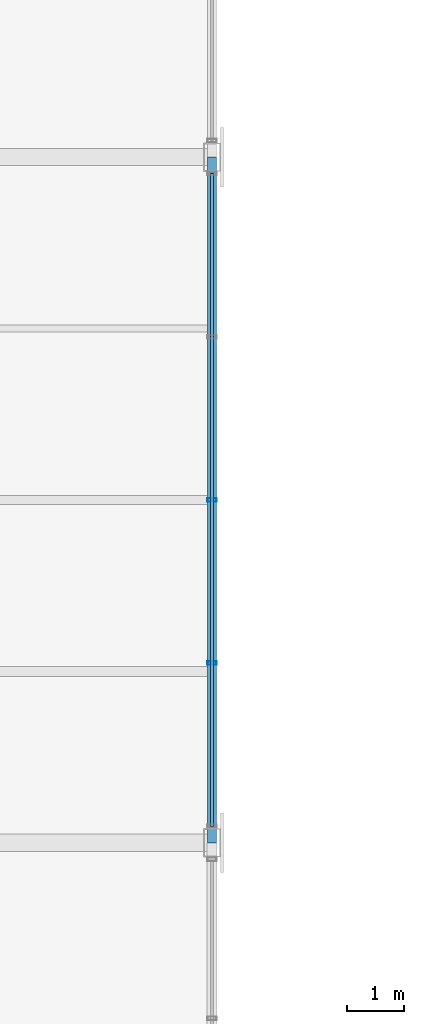
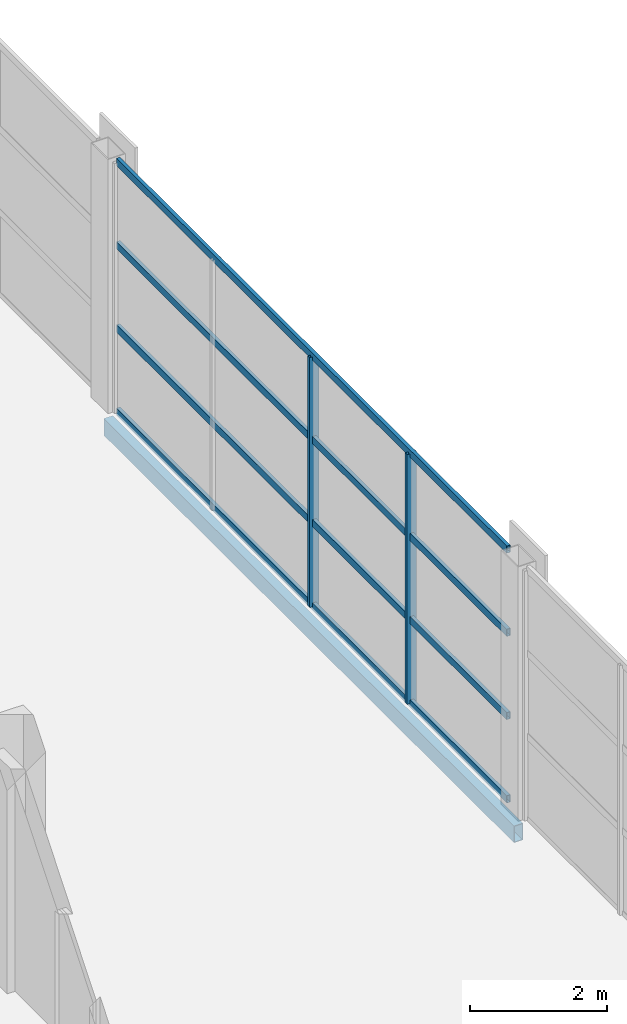
# One storey, part 30 of 86: 6 members, 1 beam, 1 element without a shape of its own.
"""IFC4 building model written with IfcOpenShell, lengths in metres."""

from ifc_helpers import new_model, si_unit, direction, frame, origin, origin_2d, place, context, subcontext, project, spatial, hollow_rectangle, extrude, material, material_profile, profile_set, type_object, element, aggregate, save


model = new_model("IFC4")

# Units and contexts
model_context = context("Model", 3, precision=1e-05, world=origin(), true_north=direction((0.0, 1.0)))
body_context = subcontext(model_context, "Body", "Model", "MODEL_VIEW")
ifc_project = project(units=[si_unit("LENGTHUNIT", "METRE"), si_unit("AREAUNIT", "SQUARE_METRE"), si_unit("VOLUMEUNIT", "CUBIC_METRE"), si_unit("PLANEANGLEUNIT", "RADIAN"), si_unit("MASSUNIT", "GRAM", prefix="KILO")], contexts=[model_context])

# Site, building, storey
site_placement = place(None, origin())
site = spatial("IfcSite", under=ifc_project, at=site_placement, CompositionType="ELEMENT")
building_placement = place(site_placement, origin())
building = spatial("IfcBuilding", under=site, at=building_placement, Name="Solvikara Media Centre", CompositionType="ELEMENT")
storey_placement = place(building_placement, frame((0.0, 0.0, 15.0)))
storey = spatial("IfcBuildingStorey", under=building, at=storey_placement, Name="L03", CompositionType="ELEMENT", Elevation=15.0)

# Beam
ifc_material_1 = material(Name="Steel S355JR", Category="steel")
ifc_material_profile_1 = material_profile(ifc_material_1, hollow_rectangle(XDim=0.14990234375, YDim=0.300048828125, WallThickness=0.010009765625, at=origin_2d()), Name="RHS 300x150x10")
ifc_profile_set_1 = profile_set([ifc_material_profile_1], Name="Steel S355JR")
beam_type = type_object("IfcBeamType", Name="BM-35", PredefinedType="BEAM", material=ifc_profile_set_1)
beam_placement = place(storey_placement, frame((34.0, 56.5, -0.412109375), z_axis=(0.0, 1.0, 0.0), x_axis=(-1.0, 0.0, 0.0)))
element("IfcBeam", 1, at=beam_placement, inside=storey, type_object=beam_type, Name="B-L03-Y1259", PredefinedType="BEAM", context=body_context, shape_type="SweptSolid", body=[
    extrude(hollow_rectangle(XDim=0.14990234375, YDim=0.300048828125, WallThickness=0.010009765625, at=origin_2d()), origin(), (0.0, 0.0, 1.0), 12.0),
])

# Curtain wall, members
ifc_material_2 = material(Name="Anodised aluminium EN AW-6063", Category="aluminium")
curtain_wall_type = type_object("IfcCurtainWallType", Name="CW-07", PredefinedType="NOTDEFINED", material=ifc_material_2)
curtain_wall_placement = place(storey_placement, origin())
curtain_wall = element("IfcCurtainWall", 2, at=curtain_wall_placement, inside=storey, type_object=curtain_wall_type, Name="CW-L03-V4E-S2", PredefinedType="NOTDEFINED")
ifc_material_profile_2 = material_profile(ifc_material_2, hollow_rectangle(XDim=0.06005859375, YDim=0.159912109375, WallThickness=0.00341796875, at=origin_2d()), Name="ALU-M 60x160x3.5")
ifc_profile_set_2 = profile_set([ifc_material_profile_2], Name="Anodised aluminium EN AW-6063")
member_type_1 = type_object("IfcMemberType", Name="MF-04", PredefinedType="MULLION", material=ifc_profile_set_2)
member_1_placement = place(storey_placement, frame((34.0, 59.64501953125, 0.02001953125), z_axis=(0.0, 0.0, 1.0), x_axis=(0.0, 1.0, 0.0)))
member_1 = element("IfcMember", 3, at=member_1_placement, type_object=member_type_1, Name="CW-L03-V4E-S2-M01", PredefinedType="MULLION", context=body_context, shape_type="SweptSolid", body=[
    extrude(hollow_rectangle(XDim=0.06005859375, YDim=0.159912109375, WallThickness=0.00341796875, at=origin_2d()), origin(), (0.0, 0.0, 1.0), 4.4599609375),
])
member_2_placement = place(storey_placement, frame((34.0, 62.5, 0.02001953125), z_axis=(0.0, 0.0, 1.0), x_axis=(0.0, 1.0, 0.0)))
member_2 = element("IfcMember", 4, at=member_2_placement, type_object=member_type_1, Name="CW-L03-V4E-S2-M02", PredefinedType="MULLION", context=body_context, shape_type="SweptSolid", body=[
    extrude(hollow_rectangle(XDim=0.06005859375, YDim=0.159912109375, WallThickness=0.00341796875, at=origin_2d()), origin(), (0.0, 0.0, 1.0), 4.4599609375),
])
ifc_material_profile_3 = material_profile(ifc_material_2, hollow_rectangle(XDim=0.06005859375, YDim=0.1298828125, WallThickness=0.0029296875, at=origin_2d()), Name="ALU-T 60x130x3")
ifc_profile_set_3 = profile_set([ifc_material_profile_3], Name="Anodised aluminium EN AW-6063")
member_type_2 = type_object("IfcMemberType", Name="MF-10", PredefinedType="USERDEFINED", material=ifc_profile_set_3)
member_3_placement = place(storey_placement, frame((34.0, 56.7900390625, 0.02001953125), z_axis=(0.0, 1.0, 0.0), x_axis=(-1.0, 0.0, 0.0)))
member_3 = element("IfcMember", 5, at=member_3_placement, type_object=member_type_2, Name="CW-L03-V4E-S2-T00", ObjectType="TRANSOM", PredefinedType="USERDEFINED", context=body_context, shape_type="SweptSolid", body=[
    extrude(hollow_rectangle(XDim=0.06005859375, YDim=0.1298828125, WallThickness=0.0029296875, at=origin_2d()), origin(), (0.0, 0.0, 1.0), 11.419921875),
])
member_4_placement = place(storey_placement, frame((34.0, 56.7900390625, 1.507080078125), z_axis=(0.0, 1.0, 0.0), x_axis=(-1.0, 0.0, 0.0)))
member_4 = element("IfcMember", 6, at=member_4_placement, type_object=member_type_2, Name="CW-L03-V4E-S2-T01", ObjectType="TRANSOM", PredefinedType="USERDEFINED", context=body_context, shape_type="SweptSolid", body=[
    extrude(hollow_rectangle(XDim=0.06005859375, YDim=0.1298828125, WallThickness=0.0029296875, at=origin_2d()), origin(), (0.0, 0.0, 1.0), 11.419921875),
])
member_5_placement = place(storey_placement, frame((34.0, 56.7900390625, 2.992919921875), z_axis=(0.0, 1.0, 0.0), x_axis=(-1.0, 0.0, 0.0)))
member_5 = element("IfcMember", 7, at=member_5_placement, type_object=member_type_2, Name="CW-L03-V4E-S2-T02", ObjectType="TRANSOM", PredefinedType="USERDEFINED", context=body_context, shape_type="SweptSolid", body=[
    extrude(hollow_rectangle(XDim=0.06005859375, YDim=0.1298828125, WallThickness=0.0029296875, at=origin_2d()), origin(), (0.0, 0.0, 1.0), 11.419921875),
])
member_6_placement = place(storey_placement, frame((34.0, 56.7900390625, 4.47998046875), z_axis=(0.0, 1.0, 0.0), x_axis=(-1.0, 0.0, 0.0)))
member_6 = element("IfcMember", 8, at=member_6_placement, type_object=member_type_2, Name="CW-L03-V4E-S2-T03", ObjectType="TRANSOM", PredefinedType="USERDEFINED", context=body_context, shape_type="SweptSolid", body=[
    extrude(hollow_rectangle(XDim=0.06005859375, YDim=0.1298828125, WallThickness=0.0029296875, at=origin_2d()), origin(), (0.0, 0.0, 1.0), 11.419921875),
])
aggregate(curtain_wall, [member_1, member_2, member_3, member_4, member_5, member_6])

save(model, "model.ifc")
